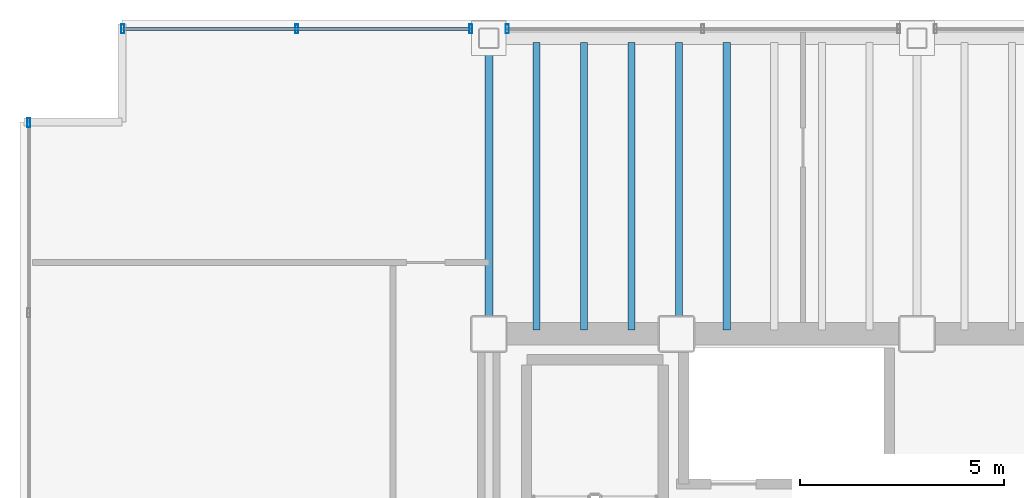
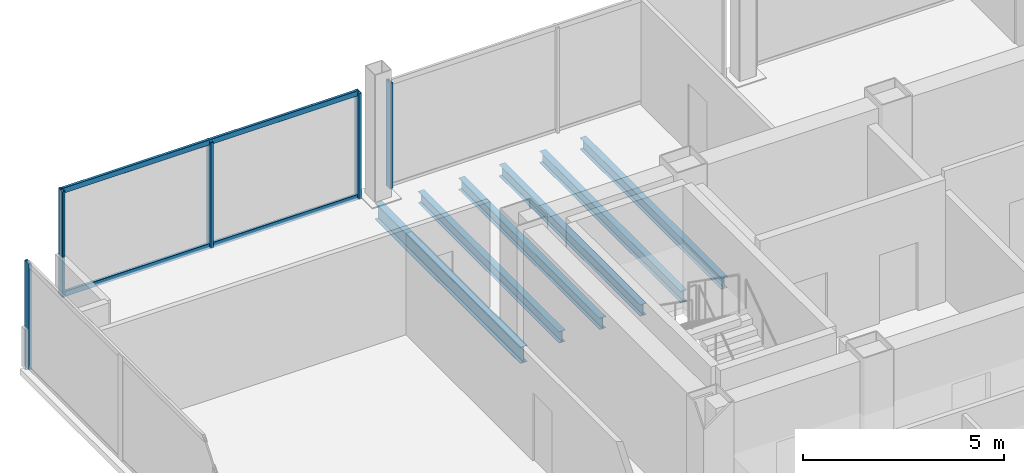
# One storey, part 8 of 18: 7 members, 6 beams, 3 elements without a shape of their own.
"""IFC4 building model written with IfcOpenShell, lengths in metres."""

from ifc_helpers import new_model, si_unit, direction, frame, origin, origin_2d, place, context, subcontext, project, spatial, hollow_rectangle, i_section, extrude, material, material_profile, profile_set, type_object, element, aggregate, save


model = new_model("IFC4")

# Units and contexts
model_context = context("Model", 3, precision=1e-05, world=origin(), true_north=direction((0.0, 1.0)))
body_context = subcontext(model_context, "Body", "Model", "MODEL_VIEW")
ifc_project = project(units=[si_unit("LENGTHUNIT", "METRE"), si_unit("AREAUNIT", "SQUARE_METRE"), si_unit("VOLUMEUNIT", "CUBIC_METRE"), si_unit("PLANEANGLEUNIT", "RADIAN"), si_unit("MASSUNIT", "GRAM", prefix="KILO")], contexts=[model_context])

# Site, building, storey
site_placement = place(None, origin())
site = spatial("IfcSite", under=ifc_project, at=site_placement, CompositionType="ELEMENT")
building_placement = place(site_placement, origin())
building = spatial("IfcBuilding", under=site, at=building_placement, Name="Noeulbin Bourse Tower", CompositionType="ELEMENT")
storey_placement = place(building_placement, frame((0.0, 0.0, 161.699951171875)))
storey = spatial("IfcBuildingStorey", under=building, at=storey_placement, Name="L40", CompositionType="ELEMENT", Elevation=161.699951171875)

# Beams
ifc_material_1 = material(Name="Steel S355", Category="steel")
ifc_material_profile_1 = material_profile(ifc_material_1, i_section(OverallWidth=0.199951171875, OverallDepth=0.5, WebThickness=0.010009765625, FlangeThickness=0.01611328125, FilletRadius=0.02001953125, at=origin_2d()), Name="H-500x200x10x16", Category="LoadBearing")
ifc_profile_set_1 = profile_set([ifc_material_profile_1], Name="Steel S355")
beam_type_1 = type_object("IfcBeamType", Name="BM-GRD-500", PredefinedType="USERDEFINED", material=ifc_profile_set_1)
beam_placement = place(storey_placement, frame((13.5, 38.300048828125, -0.429931640625), z_axis=(0.0, 1.0, 0.0), x_axis=(-1.0, 0.0, 0.0)))
element("IfcBeam", 1, at=beam_placement, inside=storey, type_object=beam_type_1, Name="Tower Primary Girder NS L40-1.4", ObjectType="GIRDER", PredefinedType="USERDEFINED", context=body_context, shape_type="SweptSolid", body=[
    extrude(i_section(OverallWidth=0.199951171875, OverallDepth=0.5, WebThickness=0.010009765625, FlangeThickness=0.01611328125, FilletRadius=0.02001953125, at=origin_2d()), origin(), (0.0, 0.0, 1.0), 7.25),
])
ifc_material_profile_2 = material_profile(ifc_material_1, i_section(OverallWidth=0.175048828125, OverallDepth=0.35009765625, WebThickness=0.007080078125, FlangeThickness=0.010986328125, FilletRadius=0.013916015625, at=origin_2d()), Name="H-350x175x7x11", Category="LoadBearing")
ifc_profile_set_2 = profile_set([ifc_material_profile_2], Name="Steel S355")
beam_type_2 = type_object("IfcBeamType", Name="BM-JST-350", PredefinedType="JOIST", material=ifc_profile_set_2)
for number, where, z_axis, x_axis, name in (
    (2, (14.666748046875, 38.39990234375, -0.35498046875), (0.0, 1.0, 0.0), (-1.0, 0.0, 0.0), "Tower Composite Joist L40-03"),
    (3, (15.833251953125, 38.39990234375, -0.35498046875), (0.0, 1.0, 0.0), (-1.0, 0.0, 0.0), "Tower Composite Joist L40-06"),
    (4, (17.0, 38.39990234375, -0.35498046875), (0.0, 1.0, 0.0), (-1.0, 0.0, 0.0), "Tower Composite Joist L40-09"),
    (5, (18.166748046875, 38.39990234375, -0.35498046875), (0.0, 1.0, 0.0), (-1.0, 0.0, 0.0), "Tower Composite Joist L40-12"),
    (6, (19.333251953125, 38.39990234375, -0.35498046875), (0.0, 1.0, 0.0), (-1.0, 0.0, 0.0), "Tower Composite Joist L40-15"),
):
    element("IfcBeam", number, at=place(storey_placement, frame(where, z_axis=z_axis, x_axis=x_axis)), inside=storey, type_object=beam_type_2, Name=name, PredefinedType="JOIST", context=body_context, shape_type="SweptSolid", body=[
        extrude(i_section(OverallWidth=0.175048828125, OverallDepth=0.35009765625, WebThickness=0.007080078125, FlangeThickness=0.010986328125, FilletRadius=0.013916015625, at=origin_2d()), origin(), (0.0, 0.0, 1.0), 7.050048828125),
    ])

# Curtain wall, members
ifc_material_2 = material(Name="Dark Tinted Triple Glazing", Category="glass")
curtain_wall_type = type_object("IfcCurtainWallType", Name="CW-SYS-3", PredefinedType="NOTDEFINED", material=ifc_material_2)
curtain_wall_1_placement = place(storey_placement, origin())
curtain_wall_1 = element("IfcCurtainWall", 7, at=curtain_wall_1_placement, inside=storey, type_object=curtain_wall_type, Name="Unitised Curtain Wall CW-L40-N-S1", PredefinedType="NOTDEFINED")
ifc_material_3 = material(Name="Anodised Aluminium 6063-T6", Category="aluminium")
ifc_material_profile_3 = material_profile(ifc_material_3, hollow_rectangle(XDim=0.074951171875, YDim=0.219970703125, WallThickness=0.0048828125, InnerFilletRadius=0.00244140625, OuterFilletRadius=0.0048828125, at=origin_2d()), Name="ALU-MULL-75x220x5", Category="LoadBearing")
ifc_profile_set_3 = profile_set([ifc_material_profile_3], Name="Anodised Aluminium 6063-T6")
member_type_1 = type_object("IfcMemberType", Name="CW-SYS-3-MUL", PredefinedType="MULLION", material=ifc_profile_set_3)
member_1_placement = place(storey_placement, frame((4.52001953125, 45.780029296875, -0.02001953125), z_axis=(0.0, 0.0, 1.0), x_axis=(1.0, 0.0, 0.0)))
member_1 = element("IfcMember", 8, at=member_1_placement, type_object=member_type_1, Name="Curtain Wall Mullion CW-L40-N-S1-M00", PredefinedType="MULLION", context=body_context, shape_type="SweptSolid", body=[
    extrude(hollow_rectangle(XDim=0.074951171875, YDim=0.219970703125, WallThickness=0.0048828125, InnerFilletRadius=0.00244140625, OuterFilletRadius=0.0048828125, at=origin_2d()), origin(), (0.0, 0.0, 1.0), 3.219970703125),
])
member_2_placement = place(storey_placement, frame((8.784912109375, 45.780029296875, -0.02001953125), z_axis=(0.0, 0.0, 1.0), x_axis=(1.0, 0.0, 0.0)))
member_2 = element("IfcMember", 9, at=member_2_placement, type_object=member_type_1, Name="Curtain Wall Mullion CW-L40-N-S1-M01", PredefinedType="MULLION", context=body_context, shape_type="SweptSolid", body=[
    extrude(hollow_rectangle(XDim=0.074951171875, YDim=0.219970703125, WallThickness=0.0048828125, InnerFilletRadius=0.00244140625, OuterFilletRadius=0.0048828125, at=origin_2d()), origin(), (0.0, 0.0, 1.0), 3.219970703125),
])
member_3_placement = place(storey_placement, frame((13.050048828125, 45.780029296875, -0.02001953125), z_axis=(0.0, 0.0, 1.0), x_axis=(1.0, 0.0, 0.0)))
member_3 = element("IfcMember", 10, at=member_3_placement, type_object=member_type_1, Name="Curtain Wall Mullion CW-L40-N-S1-M02", PredefinedType="MULLION", context=body_context, shape_type="SweptSolid", body=[
    extrude(hollow_rectangle(XDim=0.074951171875, YDim=0.219970703125, WallThickness=0.0048828125, InnerFilletRadius=0.00244140625, OuterFilletRadius=0.0048828125, at=origin_2d()), origin(), (0.0, 0.0, 1.0), 3.219970703125),
])

# Curtain wall, member
curtain_wall_2_placement = place(storey_placement, origin())
curtain_wall_2 = element("IfcCurtainWall", 11, at=curtain_wall_2_placement, inside=storey, type_object=curtain_wall_type, Name="Unitised Curtain Wall CW-L40-N-S2", PredefinedType="NOTDEFINED")
member_4_placement = place(storey_placement, frame((13.949951171875, 45.780029296875, -0.02001953125), z_axis=(0.0, 0.0, 1.0), x_axis=(1.0, 0.0, 0.0)))
member_4 = element("IfcMember", 12, at=member_4_placement, type_object=member_type_1, Name="Curtain Wall Mullion CW-L40-N-S2-M00", PredefinedType="MULLION", context=body_context, shape_type="SweptSolid", body=[
    extrude(hollow_rectangle(XDim=0.074951171875, YDim=0.219970703125, WallThickness=0.0048828125, InnerFilletRadius=0.00244140625, OuterFilletRadius=0.0048828125, at=origin_2d()), origin(), (0.0, 0.0, 1.0), 3.219970703125),
])
aggregate(curtain_wall_2, [member_4])

curtain_wall_3_placement = place(storey_placement, origin())
curtain_wall_3 = element("IfcCurtainWall", 13, at=curtain_wall_3_placement, inside=storey, type_object=curtain_wall_type, Name="Unitised Curtain Wall CW-L40-W-S2", PredefinedType="NOTDEFINED")
member_5_placement = place(storey_placement, frame((2.219970703125, 43.47998046875, -0.02001953125), z_axis=(0.0, 0.0, 1.0), x_axis=(1.0, 0.0, 0.0)))
member_5 = element("IfcMember", 14, at=member_5_placement, type_object=member_type_1, Name="Curtain Wall Mullion CW-L40-W-S2-M03", PredefinedType="MULLION", context=body_context, shape_type="SweptSolid", body=[
    extrude(hollow_rectangle(XDim=0.074951171875, YDim=0.219970703125, WallThickness=0.0048828125, InnerFilletRadius=0.00244140625, OuterFilletRadius=0.0048828125, at=origin_2d()), origin(), (0.0, 0.0, 1.0), 3.219970703125),
])
aggregate(curtain_wall_3, [member_5])

# Member
ifc_material_profile_4 = material_profile(ifc_material_3, hollow_rectangle(XDim=0.074951171875, YDim=0.159912109375, WallThickness=0.0048828125, InnerFilletRadius=0.00244140625, OuterFilletRadius=0.0048828125, at=origin_2d()), Name="ALU-TRAN-75x160x5", Category="LoadBearing")
ifc_profile_set_4 = profile_set([ifc_material_profile_4], Name="Anodised Aluminium 6063-T6")
member_type_2 = type_object("IfcMemberType", Name="CW-SYS-3-TRN", PredefinedType="USERDEFINED", material=ifc_profile_set_4)
member_6_placement = place(storey_placement, frame((4.530029296875, 45.780029296875, 0.010009765625), z_axis=(1.0, 0.0, 0.0), x_axis=(0.0, 1.0, 0.0)))
member_6 = element("IfcMember", 15, at=member_6_placement, type_object=member_type_2, Name="Curtain Wall Transom CW-L40-N-S1-T00", ObjectType="TRANSOM", PredefinedType="USERDEFINED", context=body_context, shape_type="SweptSolid", body=[
    extrude(hollow_rectangle(XDim=0.074951171875, YDim=0.159912109375, WallThickness=0.0048828125, InnerFilletRadius=0.00244140625, OuterFilletRadius=0.0048828125, at=origin_2d()), origin(), (0.0, 0.0, 1.0), 8.510009765625),
])

member_7_placement = place(storey_placement, frame((4.530029296875, 45.780029296875, 3.170166015625), z_axis=(1.0, 0.0, 0.0), x_axis=(0.0, 1.0, 0.0)))
member_7 = element("IfcMember", 16, at=member_7_placement, type_object=member_type_2, Name="Curtain Wall Transom CW-L40-N-S1-T01", ObjectType="TRANSOM", PredefinedType="USERDEFINED", context=body_context, shape_type="SweptSolid", body=[
    extrude(hollow_rectangle(XDim=0.074951171875, YDim=0.159912109375, WallThickness=0.0048828125, InnerFilletRadius=0.00244140625, OuterFilletRadius=0.0048828125, at=origin_2d()), origin(), (0.0, 0.0, 1.0), 8.510009765625),
])

aggregate(curtain_wall_1, [member_1, member_2, member_3, member_6, member_7])

save(model, "model.ifc")
